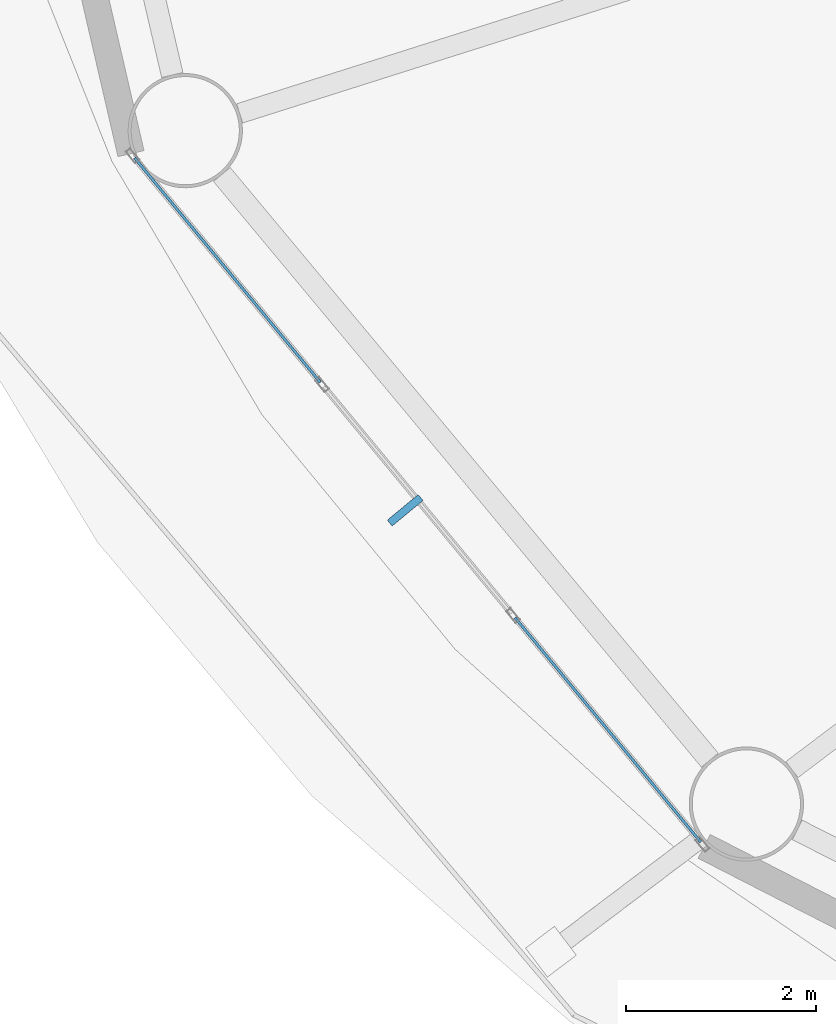
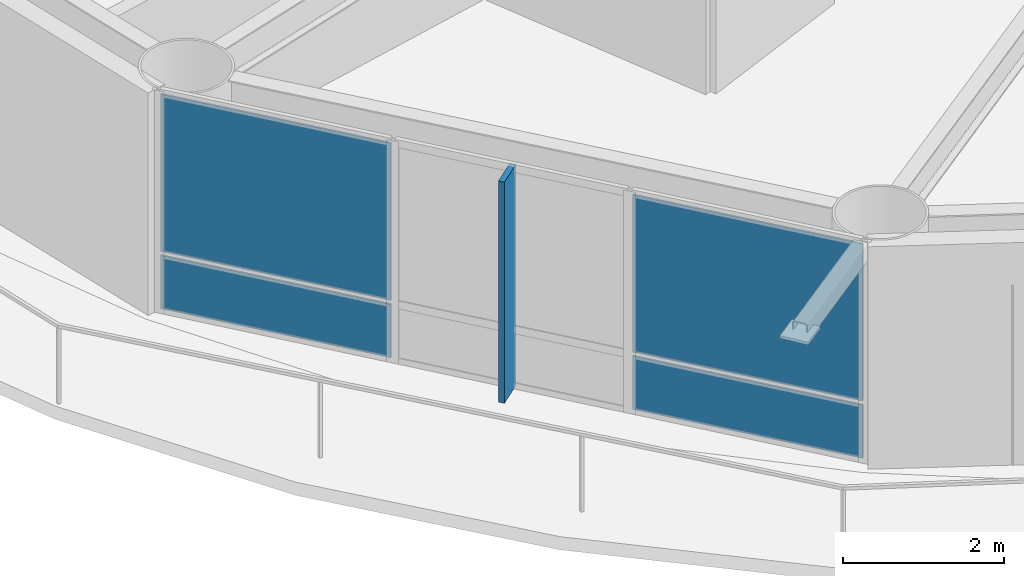
# One storey, part 14 of 24: 5 plates, 1 element without a shape of its own.
"""IFC4 building model written with IfcOpenShell, lengths in metres."""

from ifc_helpers import new_model, si_unit, direction, frame, origin, origin_2d, place, context, subcontext, project, spatial, rectangle, extrude, material, layer, layer_set, type_object, element, aggregate, save


model = new_model("IFC4")

# Units and contexts
model_context = context("Model", 3, precision=1e-05, world=origin(), true_north=direction((0.0, 1.0)))
body_context = subcontext(model_context, "Body", "Model", "MODEL_VIEW")
ifc_project = project(units=[si_unit("LENGTHUNIT", "METRE"), si_unit("AREAUNIT", "SQUARE_METRE"), si_unit("VOLUMEUNIT", "CUBIC_METRE"), si_unit("PLANEANGLEUNIT", "RADIAN"), si_unit("MASSUNIT", "GRAM", prefix="KILO")], contexts=[model_context])

# Site, building, storey
site_placement = place(None, origin())
site = spatial("IfcSite", under=ifc_project, at=site_placement, CompositionType="ELEMENT")
building_placement = place(site_placement, origin())
building = spatial("IfcBuilding", under=site, at=building_placement, Name="Sarneth Arch Tower", CompositionType="ELEMENT")
storey_placement = place(building_placement, frame((0.0, 0.0, 109.199951171875)))
storey = spatial("IfcBuildingStorey", under=building, at=storey_placement, Name="L27", CompositionType="ELEMENT", Elevation=109.199951171875)

# Curtain wall, plates
ifc_material_1 = material(Name="Anodised aluminium Type AA25 and solar-control low-e laminated IGU", Category="aluminium")
ifc_layer_1 = layer(ifc_material_1, 0.159912109375)
ifc_layer_set_1 = layer_set([ifc_layer_1], Name="Anodised aluminium Type AA25 and solar-control low-e laminated IGU")
curtain_wall_type = type_object("IfcCurtainWallType", Name="CW-HOTEL-MID", PredefinedType="NOTDEFINED", material=ifc_layer_set_1)
curtain_wall_placement = place(storey_placement, origin())
curtain_wall = element("IfcCurtainWall", 1, at=curtain_wall_placement, inside=storey, type_object=curtain_wall_type, Name="L27 Unitised curtain wall facet 10", PredefinedType="NOTDEFINED")
ifc_material_2 = material(Name="Solar-control low-e laminated IGU", Category="glass")
ifc_layer_2 = layer(ifc_material_2, 0.028076171875)
ifc_layer_set_2 = layer_set([ifc_layer_2], Name="Solar-control low-e laminated IGU")
plate_type_1 = type_object("IfcPlateType", Name="CW-PANEL", PredefinedType="CURTAIN_PANEL", material=ifc_layer_set_2)
plate_1_placement = place(storey_placement, frame((22.15185546875, 32.192138671875, 0.06005859375), z_axis=(0.0, 0.0, 1.0), x_axis=(0.637515188684, -0.770437787363, 0.0)))
plate_1 = element("IfcPlate", 2, at=plate_1_placement, type_object=plate_type_1, Name="Curtain wall glazed vision pane CW-L27-F10/P00-00", PredefinedType="CURTAIN_PANEL", context=body_context, shape_type="SweptSolid", body=[
    extrude(rectangle(XDim=3.058349609375, YDim=0.028076171875, at=origin_2d()), origin(), (0.0, 0.0, 1.0), 0.81005859375),
])
plate_2_placement = place(storey_placement, frame((22.15185546875, 32.192138671875, 0.93017578125), z_axis=(0.0, 0.0, 1.0), x_axis=(0.637515188684, -0.770437787363, 0.0)))
plate_2 = element("IfcPlate", 3, at=plate_2_placement, type_object=plate_type_1, Name="Curtain wall glazed vision pane CW-L27-F10/P00-01", PredefinedType="CURTAIN_PANEL", context=body_context, shape_type="SweptSolid", body=[
    extrude(rectangle(XDim=3.058349609375, YDim=0.028076171875, at=origin_2d()), origin(), (0.0, 0.0, 1.0), 2.389892578125),
])
plate_3_placement = place(storey_placement, frame((26.14697265625, 27.364013671875, 0.06005859375), z_axis=(0.0, 0.0, 1.0), x_axis=(0.637515188684, -0.770437787363, 0.0)))
plate_3 = element("IfcPlate", 4, at=plate_3_placement, type_object=plate_type_1, Name="Curtain wall glazed vision pane CW-L27-F10/P02-00", PredefinedType="CURTAIN_PANEL", context=body_context, shape_type="SweptSolid", body=[
    extrude(rectangle(XDim=3.058349609375, YDim=0.028076171875, at=origin_2d()), origin(), (0.0, 0.0, 1.0), 0.81005859375),
])
plate_4_placement = place(storey_placement, frame((26.14697265625, 27.364013671875, 0.93017578125), z_axis=(0.0, 0.0, 1.0), x_axis=(0.637515188684, -0.770437787363, 0.0)))
plate_4 = element("IfcPlate", 5, at=plate_4_placement, type_object=plate_type_1, Name="Curtain wall glazed vision pane CW-L27-F10/P02-01", PredefinedType="CURTAIN_PANEL", context=body_context, shape_type="SweptSolid", body=[
    extrude(rectangle(XDim=3.058349609375, YDim=0.028076171875, at=origin_2d()), origin(), (0.0, 0.0, 1.0), 2.389892578125),
])
aggregate(curtain_wall, [plate_1, plate_2, plate_3, plate_4])

# Plate
ifc_material_3 = material(Name="Extruded glazed terracotta baguette fin on Aluminium 6063-T6 carrier", Category="masonry")
ifc_layer_3 = layer(ifc_material_3, 0.080078125)
ifc_layer_set_3 = layer_set([ifc_layer_3], Name="Extruded glazed terracotta baguette fin on Aluminium 6063-T6 carrier")
plate_type_2 = type_object("IfcPlateType", Name="SHADE-TERRA-FIN", PredefinedType="SHEET", material=ifc_layer_set_3)
plate_5_placement = place(storey_placement, frame((24.018310546875, 29.669677734375, 0.009765625), z_axis=(0.0, 0.0, 1.0), x_axis=(-0.770401979567, -0.63755845997, 0.0)))
element("IfcPlate", 6, at=plate_5_placement, inside=storey, type_object=plate_type_2, Name="L27 Terracotta vertical shading fin 10", PredefinedType="SHEET", context=body_context, shape_type="SweptSolid", body=[
    extrude(rectangle(XDim=0.419921875, YDim=0.080078125, at=origin_2d()), origin(), (0.0, 0.0, 1.0), 3.360107421875),
])

save(model, "model.ifc")
